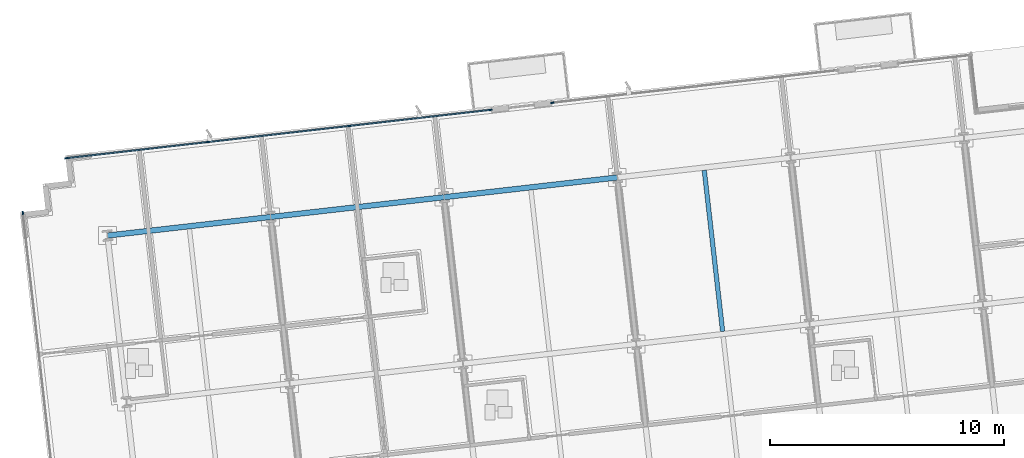
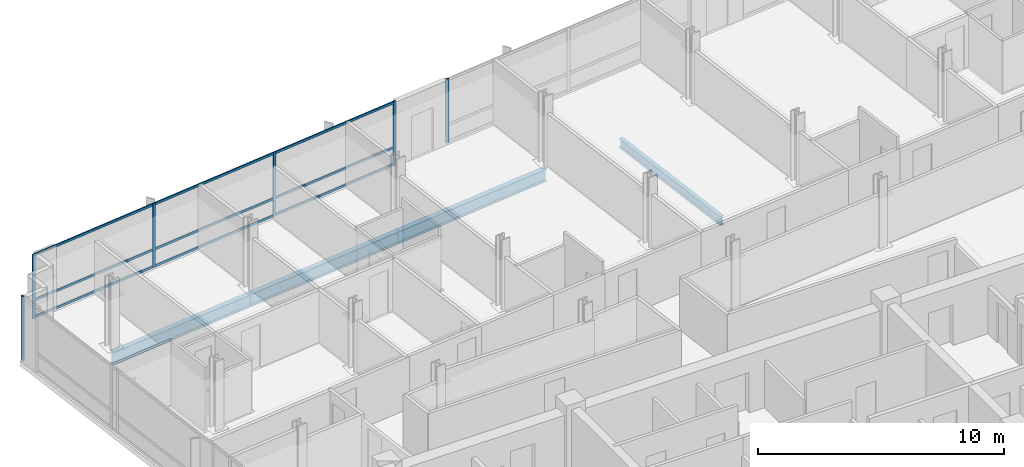
# One storey, part 6 of 16: 15 members, 4 beams, 3 elements without a shape of their own.
"""IFC4 building model written with IfcOpenShell, lengths in metres."""

import ifcopenshell
import ifcopenshell.guid

model = None  # the IFC model being written
_history = None  # IfcOwnerHistory: only IFC2X3 demands one
_inside = {}  # id of a spatial element -> (the spatial element, [elements in it])
_under = {}  # id of a project, library or spatial element -> (it, [spatial elements below it])
_declared = {}  # id of a project -> (the project, [libraries it declares])
_typed = {}  # id of a type object -> (the type object, [elements of that type])
_made_of = {}  # id of a material, layer set ... -> (it, [elements and type objects made of it])


def new_model(schema):
    """Start an empty IFC model of exactly this schema.

    Asked for "IFC4X3", IfcOpenShell would pick the latest addendum, in which some entities
    have other attributes; the version numbers below select the first issue.
    IFC2X3 requires an IfcOwnerHistory on every rooted entity: one is made here for all.
    """
    global model, _history
    if schema == "IFC4X3":
        model = ifcopenshell.file(schema_version=(4, 3, 0, 0))
    else:
        model = ifcopenshell.file(schema=schema)
    _inside.clear()
    _under.clear()
    _declared.clear()
    _typed.clear()
    _made_of.clear()
    _history = None
    if model.schema == "IFC2X3":
        org = make("IfcOrganization", Name="unknown")
        user = make(
            "IfcPersonAndOrganization",
            ThePerson=make("IfcPerson", FamilyName="unknown"),
            TheOrganization=org,
        )
        app = make(
            "IfcApplication",
            ApplicationDeveloper=org,
            Version="unknown",
            ApplicationFullName="unknown",
            ApplicationIdentifier="unknown",
        )
        _history = make(
            "IfcOwnerHistory",
            OwningUser=user,
            OwningApplication=app,
            ChangeAction="ADDED",
            CreationDate=0,
        )
    return model


def make(cls, **values):
    """One entity of the class cls with the attributes given. An attribute that is None is left unset."""
    return model.create_entity(
        cls, **{name: value for name, value in values.items() if value is not None}
    )


def rooted(cls, **values):
    """An entity with a GlobalId (a new one), such as an element, a storey or a relation."""
    return make(cls, GlobalId=ifcopenshell.guid.new(), OwnerHistory=_history, **values)


def si_unit(unit_type, name, prefix=None):
    """IfcSIUnit, for example si_unit("LENGTHUNIT", "METRE", prefix="MILLI")."""
    return make("IfcSIUnit", UnitType=unit_type, Prefix=prefix, Name=name)


def assignment(units):
    """IfcUnitAssignment: the units of a project."""
    return None if units is None else make("IfcUnitAssignment", Units=units)


def point(xyz):
    """IfcCartesianPoint."""
    return None if xyz is None else make("IfcCartesianPoint", Coordinates=xyz)


def direction(xyz):
    """IfcDirection."""
    return None if xyz is None else make("IfcDirection", DirectionRatios=xyz)


def frame(location, z_axis=None, x_axis=None):
    """IfcAxis2Placement3D, a coordinate frame: its origin and axes. An axis left out is left unset."""
    return make(
        "IfcAxis2Placement3D",
        Location=point(location),
        Axis=direction(z_axis),
        RefDirection=direction(x_axis),
    )


def frame_2d(location, x_axis=None):
    """IfcAxis2Placement2D, a coordinate frame in the plane: its origin and x axis."""
    return make(
        "IfcAxis2Placement2D", Location=point(location), RefDirection=direction(x_axis)
    )


def origin():
    """The frame at (0, 0, 0) with its axes left unset."""
    return frame((0.0, 0.0, 0.0))


def origin_2d():
    """The frame at (0, 0) in the plane with its x axis left unset."""
    return frame_2d((0.0, 0.0))


def place(relative_to, where):
    """IfcLocalPlacement: puts the frame where relative to a parent placement (None: the world)."""
    return make(
        "IfcLocalPlacement", PlacementRelTo=relative_to, RelativePlacement=where
    )


def context(
    kind, dimensions, precision=None, world=None, true_north=None, identifier=None
):
    """IfcGeometricRepresentationContext, for example the 3D "Model" context."""
    return make(
        "IfcGeometricRepresentationContext",
        ContextIdentifier=identifier,
        ContextType=kind,
        CoordinateSpaceDimension=dimensions,
        Precision=precision,
        WorldCoordinateSystem=world,
        TrueNorth=true_north,
    )


def subcontext(parent, identifier, kind, view, scale=None):
    """IfcGeometricRepresentationSubContext, for example "Body" below "Model"."""
    return make(
        "IfcGeometricRepresentationSubContext",
        ContextIdentifier=identifier,
        ContextType=kind,
        ParentContext=parent,
        TargetScale=scale,
        TargetView=view,
    )


def project(units=None, contexts=None):
    """IfcProject with its units and contexts."""
    return rooted(
        "IfcProject",
        Name="project",
        RepresentationContexts=contexts,
        UnitsInContext=assignment(units),
    )


def spatial(cls, under=None, at=None, **own):
    """A site, building, storey or space (cls), placed at a placement, below another one or the project."""
    s = rooted(cls, ObjectPlacement=at, **own)
    if under is not None:
        _under.setdefault(under.id(), (under, []))[1].append(s)
    return s


def profile(cls, at=None, kind="AREA", **sizes):
    """A parametric profile (cls). Its sizes go by their IFC names, for example OverallWidth=200.0."""
    return make(cls, ProfileType=kind, Position=at, **sizes)


def rectangle(**sizes):
    """IfcRectangleProfileDef."""
    return profile("IfcRectangleProfileDef", **sizes)


def i_section(**sizes):
    """IfcIShapeProfileDef."""
    return profile("IfcIShapeProfileDef", **sizes)


def extrude(swept, where, along, depth):
    """IfcExtrudedAreaSolid: the profile swept, set in the frame where, extruded along a direction by depth."""
    return make(
        "IfcExtrudedAreaSolid",
        SweptArea=swept,
        Position=where,
        ExtrudedDirection=direction(along),
        Depth=depth,
    )


def shape(context_of_items, identifier, shape_type, items):
    """IfcShapeRepresentation: the items that make up one representation, for example the "Body"."""
    return make(
        "IfcShapeRepresentation",
        ContextOfItems=context_of_items,
        RepresentationIdentifier=identifier,
        RepresentationType=shape_type,
        Items=items,
    )


def material(Name=None, Category=None):
    """IfcMaterial."""
    return make("IfcMaterial", Name=Name, Category=Category)


def material_profile(
    of_material, cross_section, Name=None, Category=None, Priority=None
):
    """IfcMaterialProfile: a cross section and its material."""
    return make(
        "IfcMaterialProfile",
        Name=Name,
        Material=of_material,
        Profile=cross_section,
        Priority=Priority,
        Category=Category,
    )


def profile_set(profiles, Name=None, composite=None):
    """IfcMaterialProfileSet."""
    return make(
        "IfcMaterialProfileSet",
        Name=Name,
        MaterialProfiles=profiles,
        CompositeProfile=composite,
    )


def made_of(thing, what):
    """Note that an element or type object is made of a material, layer set ...; save() writes the relation."""
    if what is not None:
        _made_of.setdefault(what.id(), (what, []))[1].append(thing)
    return thing


def type_object(cls, material=None, **own):
    """A type object (cls), such as IfcWallType, which elements share."""
    return made_of(rooted(cls, **own), material)


def element(
    cls,
    number,
    at=None,
    inside=None,
    cuts=None,
    type_object=None,
    material=None,
    context=None,
    identifier="Body",
    shape_type=None,
    held_by="IfcProductDefinitionShape",
    body=None,
    shapes=None,
    **own,
):
    """One element of the class cls, such as IfcWall. Its Tag is "e" and its number.

    at: its placement. inside: the storey or other place that contains it. cuts: it is an
    opening in that element (IfcRelVoidsElement). A single representation is given by context,
    identifier, shape_type and body (its items); several are given by shapes. held_by: the class
    of the entity that holds the representations. save() writes the other relations.
    """
    e = rooted(cls, Tag="e%d" % number, ObjectPlacement=at, **own)
    if body is not None:
        shapes = [shape(context, identifier, shape_type, body)]
    if shapes is not None:
        e.Representation = make(held_by, Representations=shapes)
    if inside is not None:
        _inside.setdefault(inside.id(), (inside, []))[1].append(e)
    if cuts is not None:
        rooted(
            "IfcRelVoidsElement", RelatingBuildingElement=cuts, RelatedOpeningElement=e
        )
    if type_object is not None:
        _typed.setdefault(type_object.id(), (type_object, []))[1].append(e)
    return made_of(e, material)


def aggregate(whole, parts):
    """IfcRelAggregates: a whole, such as a stair, and the parts it consists of."""
    return rooted("IfcRelAggregates", RelatingObject=whole, RelatedObjects=parts)


def save(model, path):
    """Write the relations noted so far, then the file.

    IfcRelAggregates (storeys below a building ...), IfcRelContainedInSpatialStructure (elements
    in a storey), IfcRelDefinesByType, IfcRelAssociatesMaterial and IfcRelDeclares: one each for
    every whole, place, type object, material and project.
    """
    for whole, parts in _under.values():
        aggregate(whole, parts)
    for where, things in _inside.values():
        rooted(
            "IfcRelContainedInSpatialStructure",
            RelatedElements=things,
            RelatingStructure=where,
        )
    for kind, things in _typed.values():
        rooted("IfcRelDefinesByType", RelatedObjects=things, RelatingType=kind)
    for what, things in _made_of.values():
        rooted("IfcRelAssociatesMaterial", RelatedObjects=things, RelatingMaterial=what)
    for by, libraries in _declared.values():
        rooted("IfcRelDeclares", RelatingContext=by, RelatedDefinitions=libraries)
    model.write(path)


model = new_model("IFC4")

# Units and contexts
model_context = context("Model", 3, precision=1e-05, world=origin(), true_north=direction((0.0, 1.0)))
body_context = subcontext(model_context, "Body", "Model", "MODEL_VIEW")
ifc_project = project(units=[si_unit("LENGTHUNIT", "METRE"), si_unit("AREAUNIT", "SQUARE_METRE"), si_unit("VOLUMEUNIT", "CUBIC_METRE"), si_unit("PLANEANGLEUNIT", "RADIAN"), si_unit("MASSUNIT", "GRAM", prefix="KILO")], contexts=[model_context])

# Site, building, storey
site_placement = place(None, origin())
site = spatial("IfcSite", under=ifc_project, at=site_placement, CompositionType="ELEMENT")
building_placement = place(site_placement, origin())
building = spatial("IfcBuilding", under=site, at=building_placement, Name="Solmavex Isthmus Hotel", CompositionType="ELEMENT")
storey_placement = place(building_placement, frame((0.0, 0.0, 222.75)))
storey = spatial("IfcBuildingStorey", under=building, at=storey_placement, Name="L60", CompositionType="ELEMENT", Elevation=222.75)

# Beams
ifc_material_1 = material(Name="Steel ASTM A992 Grade 50", Category="steel")
ifc_material_profile_1 = material_profile(ifc_material_1, i_section(OverallWidth=0.1904296875, OverallDepth=0.456787109375, WebThickness=0.009033203125, FlangeThickness=0.014404296875, FilletRadius=0.0126953125, at=origin_2d()), Name="W18X50")
ifc_profile_set_1 = profile_set([ifc_material_profile_1], Name="Steel ASTM A992 Grade 50")
beam_type_1 = type_object("IfcBeamType", Name="BM-BJ-W18X50", PredefinedType="JOIST", material=ifc_profile_set_1)
beam_1_placement = place(storey_placement, frame((7.009033203125, 10.1328125, -0.488525390625), z_axis=(-0.113202453846, 0.993571942258, 0.0), x_axis=(-0.993571942258, -0.113202453846, 0.0)))
element("IfcBeam", 1, at=beam_1_placement, inside=storey, type_object=beam_type_1, Name="Secondary Floor Joist L60-J14", PredefinedType="JOIST", context=body_context, shape_type="SweptSolid", body=[
    extrude(i_section(OverallWidth=0.1904296875, OverallDepth=0.456787109375, WebThickness=0.009033203125, FlangeThickness=0.014404296875, FilletRadius=0.0126953125, at=origin_2d()), origin(), (0.0, 0.0, 1.0), 6.9228515625),
])
ifc_material_profile_2 = material_profile(ifc_material_1, i_section(OverallWidth=0.230224609375, OverallDepth=0.617431640625, WebThickness=0.01318359375, FlangeThickness=0.022216796875, FilletRadius=0.01513671875, at=origin_2d()), Name="W24X94")
ifc_profile_set_2 = profile_set([ifc_material_profile_2], Name="Steel ASTM A992 Grade 50")
beam_type_2 = type_object("IfcBeamType", Name="BM-SP-W24X94", PredefinedType="SPANDREL", material=ifc_profile_set_2)
beam_2_placement = place(storey_placement, frame((-19.245849609375, 14.22509765625, -0.56884765625), z_axis=(0.99357359356, 0.113187959519, 0.0), x_axis=(-0.113187959519, 0.99357359356, 0.0)))
element("IfcBeam", 2, at=beam_2_placement, inside=storey, type_object=beam_type_2, Name="Floor Girder L60-UG18", PredefinedType="SPANDREL", context=body_context, shape_type="SweptSolid", body=[
    extrude(i_section(OverallWidth=0.230224609375, OverallDepth=0.617431640625, WebThickness=0.01318359375, FlangeThickness=0.022216796875, FilletRadius=0.01513671875, at=origin_2d()), origin(), (0.0, 0.0, 1.0), 7.0078125),
])
beam_3_placement = place(storey_placement, frame((-12.282958984375, 15.018310546875, -0.56884765625), z_axis=(0.9935703463, 0.113216460607, 0.0), x_axis=(-0.113216460607, 0.9935703463, 0.0)))
element("IfcBeam", 3, at=beam_3_placement, inside=storey, type_object=beam_type_2, Name="Floor Girder L60-UG19", PredefinedType="SPANDREL", context=body_context, shape_type="SweptSolid", body=[
    extrude(i_section(OverallWidth=0.230224609375, OverallDepth=0.617431640625, WebThickness=0.01318359375, FlangeThickness=0.022216796875, FilletRadius=0.01513671875, at=origin_2d()), origin(), (0.0, 0.0, 1.0), 7.446044921875),
])
beam_4_placement = place(storey_placement, frame((-4.884765625, 15.861328125, -0.56884765625), z_axis=(0.993573613989, 0.113187780196, 0.0), x_axis=(-0.113187780196, 0.993573613989, 0.0)))
element("IfcBeam", 4, at=beam_4_placement, inside=storey, type_object=beam_type_2, Name="Floor Girder L60-UG20", PredefinedType="SPANDREL", context=body_context, shape_type="SweptSolid", body=[
    extrude(i_section(OverallWidth=0.230224609375, OverallDepth=0.617431640625, WebThickness=0.01318359375, FlangeThickness=0.022216796875, FilletRadius=0.01513671875, at=origin_2d()), origin(), (0.0, 0.0, 1.0), 7.44580078125),
])

# Curtain wall, members
ifc_material_2 = material(Name="Aluminium alloy 6063-T6", Category="aluminium")
curtain_wall_type = type_object("IfcCurtainWallType", Name="CW-SYS-06", PredefinedType="NOTDEFINED", material=ifc_material_2)
curtain_wall_1_placement = place(storey_placement, origin())
curtain_wall_1 = element("IfcCurtainWall", 5, at=curtain_wall_1_placement, inside=storey, type_object=curtain_wall_type, Name="Stick Curtain Wall CWL-L60-N1", PredefinedType="NOTDEFINED")
ifc_material_profile_3 = material_profile(ifc_material_2, rectangle(XDim=0.06005859375, YDim=0.139892578125, at=origin_2d()), Name="CWM-60X140")
ifc_profile_set_3 = profile_set([ifc_material_profile_3], Name="Aluminium alloy 6063-T6")
member_type_1 = type_object("IfcMemberType", Name="CW-SYS-06-MUL", PredefinedType="MULLION", material=ifc_profile_set_3)
member_1_placement = place(storey_placement, frame((-21.0009765625, 17.527587890625, 0.0), z_axis=(0.0, 0.0, 1.0), x_axis=(-0.113202953513, 0.993571885329, 0.0)))
member_1 = element("IfcMember", 6, at=member_1_placement, type_object=member_type_1, Name="CW-06 mullion 1", PredefinedType="MULLION", context=body_context, shape_type="SweptSolid", body=[
    extrude(rectangle(XDim=0.06005859375, YDim=0.139892578125, at=origin_2d()), origin(), (0.0, 0.0, 1.0), 3.18994140625),
])
member_2_placement = place(storey_placement, frame((-14.977783203125, 18.2138671875, 0.0), z_axis=(0.0, 0.0, 1.0), x_axis=(-0.113202953513, 0.993571885329, 0.0)))
member_2 = element("IfcMember", 7, at=member_2_placement, type_object=member_type_1, Name="CW-06 mullion 2", PredefinedType="MULLION", context=body_context, shape_type="SweptSolid", body=[
    extrude(rectangle(XDim=0.06005859375, YDim=0.139892578125, at=origin_2d()), origin(), (0.0, 0.0, 1.0), 3.18994140625),
])
member_3_placement = place(storey_placement, frame((-8.924560546875, 18.903564453125, 0.0), z_axis=(0.0, 0.0, 1.0), x_axis=(-0.113202953513, 0.993571885329, 0.0)))
member_3 = element("IfcMember", 8, at=member_3_placement, type_object=member_type_1, Name="CW-06 mullion 3", PredefinedType="MULLION", context=body_context, shape_type="SweptSolid", body=[
    extrude(rectangle(XDim=0.06005859375, YDim=0.139892578125, at=origin_2d()), origin(), (0.0, 0.0, 1.0), 3.18994140625),
])
member_4_placement = place(storey_placement, frame((-2.901123046875, 19.58984375, 0.0), z_axis=(0.0, 0.0, 1.0), x_axis=(-0.113202953513, 0.993571885329, 0.0)))
member_4 = element("IfcMember", 9, at=member_4_placement, type_object=member_type_1, Name="CW-06 mullion 4", PredefinedType="MULLION", context=body_context, shape_type="SweptSolid", body=[
    extrude(rectangle(XDim=0.06005859375, YDim=0.139892578125, at=origin_2d()), origin(), (0.0, 0.0, 1.0), 3.18994140625),
])

# Curtain wall, member
curtain_wall_2_placement = place(storey_placement, origin())
curtain_wall_2 = element("IfcCurtainWall", 10, at=curtain_wall_2_placement, inside=storey, type_object=curtain_wall_type, Name="Stick Curtain Wall CWL-L60-N2", PredefinedType="NOTDEFINED")
member_5_placement = place(storey_placement, frame((-0.25830078125, 19.890869140625, 0.0), z_axis=(0.0, 0.0, 1.0), x_axis=(-0.113202856801, 0.993571896348, 0.0)))
member_5 = element("IfcMember", 11, at=member_5_placement, type_object=member_type_1, Name="CW-06 mullion 1", PredefinedType="MULLION", context=body_context, shape_type="SweptSolid", body=[
    extrude(rectangle(XDim=0.06005859375, YDim=0.139892578125, at=origin_2d()), origin(), (0.0, 0.0, 1.0), 3.18994140625),
])
aggregate(curtain_wall_2, [member_5])

curtain_wall_3_placement = place(storey_placement, origin())
curtain_wall_3 = element("IfcCurtainWall", 12, at=curtain_wall_3_placement, inside=storey, type_object=curtain_wall_type, Name="Stick Curtain Wall CWL-L60-W1", PredefinedType="NOTDEFINED")
member_6_placement = place(storey_placement, frame((-22.858642578125, 15.1923828125, 0.0), z_axis=(0.0, 0.0, 1.0), x_axis=(-0.993571836648, -0.11320338078, 0.0)))
member_6 = element("IfcMember", 13, at=member_6_placement, type_object=member_type_1, Name="CW-06 mullion 6", PredefinedType="MULLION", context=body_context, shape_type="SweptSolid", body=[
    extrude(rectangle(XDim=0.06005859375, YDim=0.139892578125, at=origin_2d()), origin(), (0.0, 0.0, 1.0), 3.18994140625),
])
aggregate(curtain_wall_3, [member_6])

# Member
ifc_material_profile_4 = material_profile(ifc_material_2, rectangle(XDim=0.06005859375, YDim=0.114990234375, at=origin_2d()), Name="CWT-60X115")
ifc_profile_set_4 = profile_set([ifc_material_profile_4], Name="Aluminium alloy 6063-T6")
member_type_2 = type_object("IfcMemberType", Name="CW-SYS-06-TRN", PredefinedType="USERDEFINED", material=ifc_profile_set_4)
member_7_placement = place(storey_placement, frame((-20.97119140625, 17.531005859375, 0.0576171875), z_axis=(0.993572336514, 0.11319899343, 0.0), x_axis=(-0.11319899343, 0.993572336514, 0.0)))
member_7 = element("IfcMember", 14, at=member_7_placement, type_object=member_type_2, Name="CW-06 transom 1.1", ObjectType="TRANSOM", PredefinedType="USERDEFINED", context=body_context, shape_type="SweptSolid", body=[
    extrude(rectangle(XDim=0.06005859375, YDim=0.114990234375, at=origin_2d()), origin(), (0.0, 0.0, 1.0), 6.002197265625),
])

member_8_placement = place(storey_placement, frame((-20.97119140625, 17.531005859375, 0.89990234375), z_axis=(0.993572336514, 0.11319899343, 0.0), x_axis=(-0.11319899343, 0.993572336514, 0.0)))
member_8 = element("IfcMember", 15, at=member_8_placement, type_object=member_type_2, Name="CW-06 transom 1.2", ObjectType="TRANSOM", PredefinedType="USERDEFINED", context=body_context, shape_type="SweptSolid", body=[
    extrude(rectangle(XDim=0.06005859375, YDim=0.114990234375, at=origin_2d()), origin(), (0.0, 0.0, 1.0), 6.002197265625),
])

member_9_placement = place(storey_placement, frame((-20.97119140625, 17.531005859375, 3.132568359375), z_axis=(0.993572336514, 0.11319899343, 0.0), x_axis=(-0.11319899343, 0.993572336514, 0.0)))
member_9 = element("IfcMember", 16, at=member_9_placement, type_object=member_type_2, Name="CW-06 transom 1.3", ObjectType="TRANSOM", PredefinedType="USERDEFINED", context=body_context, shape_type="SweptSolid", body=[
    extrude(rectangle(XDim=0.06005859375, YDim=0.114990234375, at=origin_2d()), origin(), (0.0, 0.0, 1.0), 6.002197265625),
])

member_10_placement = place(storey_placement, frame((-14.947998046875, 18.21728515625, 0.0576171875), z_axis=(0.993572398195, 0.113198452047, 0.0), x_axis=(-0.113198452047, 0.993572398195, 0.0)))
member_10 = element("IfcMember", 17, at=member_10_placement, type_object=member_type_2, Name="CW-06 transom 2.1", ObjectType="TRANSOM", PredefinedType="USERDEFINED", context=body_context, shape_type="SweptSolid", body=[
    extrude(rectangle(XDim=0.06005859375, YDim=0.114990234375, at=origin_2d()), origin(), (0.0, 0.0, 1.0), 6.032470703125),
])

member_11_placement = place(storey_placement, frame((-14.947998046875, 18.21728515625, 0.89990234375), z_axis=(0.993572398195, 0.113198452047, 0.0), x_axis=(-0.113198452047, 0.993572398195, 0.0)))
member_11 = element("IfcMember", 18, at=member_11_placement, type_object=member_type_2, Name="CW-06 transom 2.2", ObjectType="TRANSOM", PredefinedType="USERDEFINED", context=body_context, shape_type="SweptSolid", body=[
    extrude(rectangle(XDim=0.06005859375, YDim=0.114990234375, at=origin_2d()), origin(), (0.0, 0.0, 1.0), 6.032470703125),
])

member_12_placement = place(storey_placement, frame((-14.947998046875, 18.21728515625, 3.132568359375), z_axis=(0.993572398195, 0.113198452047, 0.0), x_axis=(-0.113198452047, 0.993572398195, 0.0)))
member_12 = element("IfcMember", 19, at=member_12_placement, type_object=member_type_2, Name="CW-06 transom 2.3", ObjectType="TRANSOM", PredefinedType="USERDEFINED", context=body_context, shape_type="SweptSolid", body=[
    extrude(rectangle(XDim=0.06005859375, YDim=0.114990234375, at=origin_2d()), origin(), (0.0, 0.0, 1.0), 6.032470703125),
])

member_13_placement = place(storey_placement, frame((-8.894775390625, 18.906982421875, 0.0576171875), z_axis=(0.993572857695, 0.113194418821, 0.0), x_axis=(-0.113194418821, 0.993572857695, 0.0)))
member_13 = element("IfcMember", 20, at=member_13_placement, type_object=member_type_2, Name="CW-06 transom 3.1", ObjectType="TRANSOM", PredefinedType="USERDEFINED", context=body_context, shape_type="SweptSolid", body=[
    extrude(rectangle(XDim=0.06005859375, YDim=0.114990234375, at=origin_2d()), origin(), (0.0, 0.0, 1.0), 6.00244140625),
])

member_14_placement = place(storey_placement, frame((-8.894775390625, 18.906982421875, 0.89990234375), z_axis=(0.993572857695, 0.113194418821, 0.0), x_axis=(-0.113194418821, 0.993572857695, 0.0)))
member_14 = element("IfcMember", 21, at=member_14_placement, type_object=member_type_2, Name="CW-06 transom 3.2", ObjectType="TRANSOM", PredefinedType="USERDEFINED", context=body_context, shape_type="SweptSolid", body=[
    extrude(rectangle(XDim=0.06005859375, YDim=0.114990234375, at=origin_2d()), origin(), (0.0, 0.0, 1.0), 6.00244140625),
])

member_15_placement = place(storey_placement, frame((-8.894775390625, 18.906982421875, 3.132568359375), z_axis=(0.993572857695, 0.113194418821, 0.0), x_axis=(-0.113194418821, 0.993572857695, 0.0)))
member_15 = element("IfcMember", 22, at=member_15_placement, type_object=member_type_2, Name="CW-06 transom 3.3", ObjectType="TRANSOM", PredefinedType="USERDEFINED", context=body_context, shape_type="SweptSolid", body=[
    extrude(rectangle(XDim=0.06005859375, YDim=0.114990234375, at=origin_2d()), origin(), (0.0, 0.0, 1.0), 6.00244140625),
])

aggregate(curtain_wall_1, [member_1, member_2, member_3, member_4, member_7, member_8, member_9, member_10, member_11, member_12, member_13, member_14, member_15])

save(model, "model.ifc")
